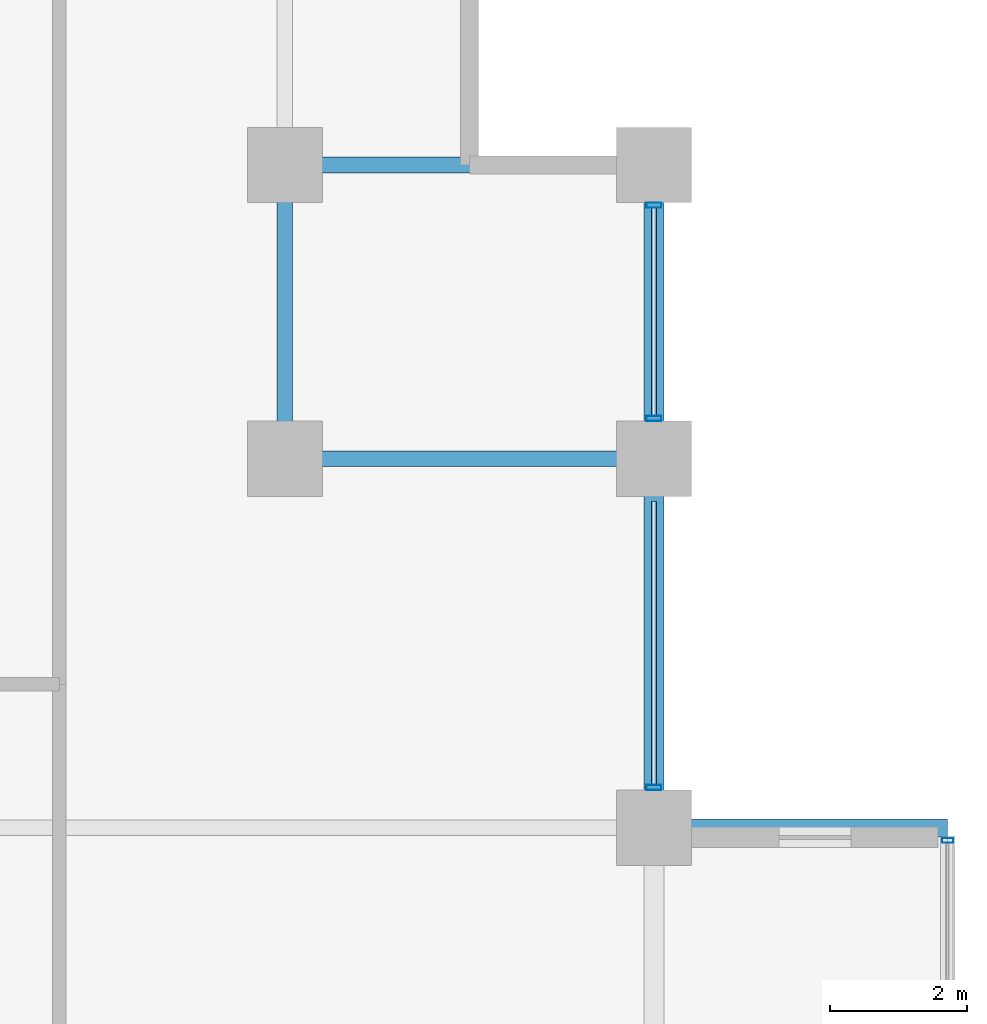
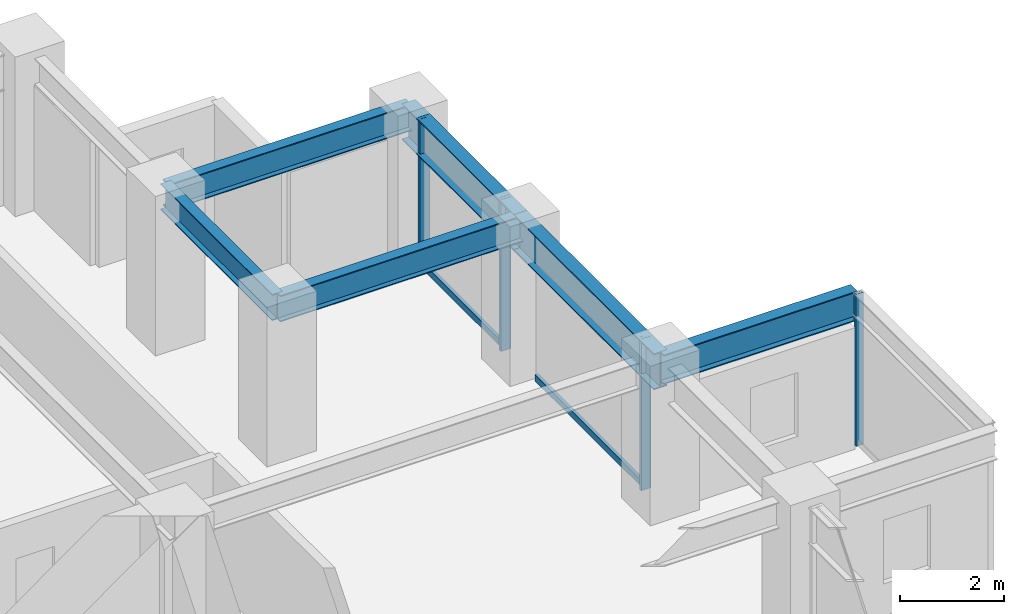
# One storey, part 17 of 29: 6 beams, 6 members, 2 elements without a shape of their own.
"""IFC4 building model written with IfcOpenShell, lengths in metres."""

import ifcopenshell
import ifcopenshell.guid

model = None  # the IFC model being written
_history = None  # IfcOwnerHistory: only IFC2X3 demands one
_inside = {}  # id of a spatial element -> (the spatial element, [elements in it])
_under = {}  # id of a project, library or spatial element -> (it, [spatial elements below it])
_declared = {}  # id of a project -> (the project, [libraries it declares])
_typed = {}  # id of a type object -> (the type object, [elements of that type])
_made_of = {}  # id of a material, layer set ... -> (it, [elements and type objects made of it])


def new_model(schema):
    """Start an empty IFC model of exactly this schema.

    Asked for "IFC4X3", IfcOpenShell would pick the latest addendum, in which some entities
    have other attributes; the version numbers below select the first issue.
    IFC2X3 requires an IfcOwnerHistory on every rooted entity: one is made here for all.
    """
    global model, _history
    if schema == "IFC4X3":
        model = ifcopenshell.file(schema_version=(4, 3, 0, 0))
    else:
        model = ifcopenshell.file(schema=schema)
    _inside.clear()
    _under.clear()
    _declared.clear()
    _typed.clear()
    _made_of.clear()
    _history = None
    if model.schema == "IFC2X3":
        org = make("IfcOrganization", Name="unknown")
        user = make(
            "IfcPersonAndOrganization",
            ThePerson=make("IfcPerson", FamilyName="unknown"),
            TheOrganization=org,
        )
        app = make(
            "IfcApplication",
            ApplicationDeveloper=org,
            Version="unknown",
            ApplicationFullName="unknown",
            ApplicationIdentifier="unknown",
        )
        _history = make(
            "IfcOwnerHistory",
            OwningUser=user,
            OwningApplication=app,
            ChangeAction="ADDED",
            CreationDate=0,
        )
    return model


def make(cls, **values):
    """One entity of the class cls with the attributes given. An attribute that is None is left unset."""
    return model.create_entity(
        cls, **{name: value for name, value in values.items() if value is not None}
    )


def rooted(cls, **values):
    """An entity with a GlobalId (a new one), such as an element, a storey or a relation."""
    return make(cls, GlobalId=ifcopenshell.guid.new(), OwnerHistory=_history, **values)


def si_unit(unit_type, name, prefix=None):
    """IfcSIUnit, for example si_unit("LENGTHUNIT", "METRE", prefix="MILLI")."""
    return make("IfcSIUnit", UnitType=unit_type, Prefix=prefix, Name=name)


def assignment(units):
    """IfcUnitAssignment: the units of a project."""
    return None if units is None else make("IfcUnitAssignment", Units=units)


def point(xyz):
    """IfcCartesianPoint."""
    return None if xyz is None else make("IfcCartesianPoint", Coordinates=xyz)


def direction(xyz):
    """IfcDirection."""
    return None if xyz is None else make("IfcDirection", DirectionRatios=xyz)


def frame(location, z_axis=None, x_axis=None):
    """IfcAxis2Placement3D, a coordinate frame: its origin and axes. An axis left out is left unset."""
    return make(
        "IfcAxis2Placement3D",
        Location=point(location),
        Axis=direction(z_axis),
        RefDirection=direction(x_axis),
    )


def frame_2d(location, x_axis=None):
    """IfcAxis2Placement2D, a coordinate frame in the plane: its origin and x axis."""
    return make(
        "IfcAxis2Placement2D", Location=point(location), RefDirection=direction(x_axis)
    )


def origin():
    """The frame at (0, 0, 0) with its axes left unset."""
    return frame((0.0, 0.0, 0.0))


def origin_2d():
    """The frame at (0, 0) in the plane with its x axis left unset."""
    return frame_2d((0.0, 0.0))


def place(relative_to, where):
    """IfcLocalPlacement: puts the frame where relative to a parent placement (None: the world)."""
    return make(
        "IfcLocalPlacement", PlacementRelTo=relative_to, RelativePlacement=where
    )


def context(
    kind, dimensions, precision=None, world=None, true_north=None, identifier=None
):
    """IfcGeometricRepresentationContext, for example the 3D "Model" context."""
    return make(
        "IfcGeometricRepresentationContext",
        ContextIdentifier=identifier,
        ContextType=kind,
        CoordinateSpaceDimension=dimensions,
        Precision=precision,
        WorldCoordinateSystem=world,
        TrueNorth=true_north,
    )


def subcontext(parent, identifier, kind, view, scale=None):
    """IfcGeometricRepresentationSubContext, for example "Body" below "Model"."""
    return make(
        "IfcGeometricRepresentationSubContext",
        ContextIdentifier=identifier,
        ContextType=kind,
        ParentContext=parent,
        TargetScale=scale,
        TargetView=view,
    )


def project(units=None, contexts=None):
    """IfcProject with its units and contexts."""
    return rooted(
        "IfcProject",
        Name="project",
        RepresentationContexts=contexts,
        UnitsInContext=assignment(units),
    )


def spatial(cls, under=None, at=None, **own):
    """A site, building, storey or space (cls), placed at a placement, below another one or the project."""
    s = rooted(cls, ObjectPlacement=at, **own)
    if under is not None:
        _under.setdefault(under.id(), (under, []))[1].append(s)
    return s


def profile(cls, at=None, kind="AREA", **sizes):
    """A parametric profile (cls). Its sizes go by their IFC names, for example OverallWidth=200.0."""
    return make(cls, ProfileType=kind, Position=at, **sizes)


def hollow_rectangle(**sizes):
    """IfcRectangleHollowProfileDef."""
    return profile("IfcRectangleHollowProfileDef", **sizes)


def i_section(**sizes):
    """IfcIShapeProfileDef."""
    return profile("IfcIShapeProfileDef", **sizes)


def extrude(swept, where, along, depth):
    """IfcExtrudedAreaSolid: the profile swept, set in the frame where, extruded along a direction by depth."""
    return make(
        "IfcExtrudedAreaSolid",
        SweptArea=swept,
        Position=where,
        ExtrudedDirection=direction(along),
        Depth=depth,
    )


def shape(context_of_items, identifier, shape_type, items):
    """IfcShapeRepresentation: the items that make up one representation, for example the "Body"."""
    return make(
        "IfcShapeRepresentation",
        ContextOfItems=context_of_items,
        RepresentationIdentifier=identifier,
        RepresentationType=shape_type,
        Items=items,
    )


def material(Name=None, Category=None):
    """IfcMaterial."""
    return make("IfcMaterial", Name=Name, Category=Category)


def layer(
    of_material, thickness, ventilated=None, Name=None, Category=None, Priority=None
):
    """IfcMaterialLayer: one layer of a wall or slab, of a material (None: an air gap)."""
    return make(
        "IfcMaterialLayer",
        Material=of_material,
        LayerThickness=thickness,
        IsVentilated=ventilated,
        Name=Name,
        Category=Category,
        Priority=Priority,
    )


def layer_set(layers, Name=None):
    """IfcMaterialLayerSet."""
    return make("IfcMaterialLayerSet", MaterialLayers=layers, LayerSetName=Name)


def material_profile(
    of_material, cross_section, Name=None, Category=None, Priority=None
):
    """IfcMaterialProfile: a cross section and its material."""
    return make(
        "IfcMaterialProfile",
        Name=Name,
        Material=of_material,
        Profile=cross_section,
        Priority=Priority,
        Category=Category,
    )


def profile_set(profiles, Name=None, composite=None):
    """IfcMaterialProfileSet."""
    return make(
        "IfcMaterialProfileSet",
        Name=Name,
        MaterialProfiles=profiles,
        CompositeProfile=composite,
    )


def made_of(thing, what):
    """Note that an element or type object is made of a material, layer set ...; save() writes the relation."""
    if what is not None:
        _made_of.setdefault(what.id(), (what, []))[1].append(thing)
    return thing


def type_object(cls, material=None, **own):
    """A type object (cls), such as IfcWallType, which elements share."""
    return made_of(rooted(cls, **own), material)


def element(
    cls,
    number,
    at=None,
    inside=None,
    cuts=None,
    type_object=None,
    material=None,
    context=None,
    identifier="Body",
    shape_type=None,
    held_by="IfcProductDefinitionShape",
    body=None,
    shapes=None,
    **own,
):
    """One element of the class cls, such as IfcWall. Its Tag is "e" and its number.

    at: its placement. inside: the storey or other place that contains it. cuts: it is an
    opening in that element (IfcRelVoidsElement). A single representation is given by context,
    identifier, shape_type and body (its items); several are given by shapes. held_by: the class
    of the entity that holds the representations. save() writes the other relations.
    """
    e = rooted(cls, Tag="e%d" % number, ObjectPlacement=at, **own)
    if body is not None:
        shapes = [shape(context, identifier, shape_type, body)]
    if shapes is not None:
        e.Representation = make(held_by, Representations=shapes)
    if inside is not None:
        _inside.setdefault(inside.id(), (inside, []))[1].append(e)
    if cuts is not None:
        rooted(
            "IfcRelVoidsElement", RelatingBuildingElement=cuts, RelatedOpeningElement=e
        )
    if type_object is not None:
        _typed.setdefault(type_object.id(), (type_object, []))[1].append(e)
    return made_of(e, material)


def aggregate(whole, parts):
    """IfcRelAggregates: a whole, such as a stair, and the parts it consists of."""
    return rooted("IfcRelAggregates", RelatingObject=whole, RelatedObjects=parts)


def save(model, path):
    """Write the relations noted so far, then the file.

    IfcRelAggregates (storeys below a building ...), IfcRelContainedInSpatialStructure (elements
    in a storey), IfcRelDefinesByType, IfcRelAssociatesMaterial and IfcRelDeclares: one each for
    every whole, place, type object, material and project.
    """
    for whole, parts in _under.values():
        aggregate(whole, parts)
    for where, things in _inside.values():
        rooted(
            "IfcRelContainedInSpatialStructure",
            RelatedElements=things,
            RelatingStructure=where,
        )
    for kind, things in _typed.values():
        rooted("IfcRelDefinesByType", RelatedObjects=things, RelatingType=kind)
    for what, things in _made_of.values():
        rooted("IfcRelAssociatesMaterial", RelatedObjects=things, RelatingMaterial=what)
    for by, libraries in _declared.values():
        rooted("IfcRelDeclares", RelatingContext=by, RelatedDefinitions=libraries)
    model.write(path)


model = new_model("IFC4")

# Units and contexts
model_context = context("Model", 3, precision=1e-05, world=origin(), true_north=direction((0.0, 1.0)))
body_context = subcontext(model_context, "Body", "Model", "MODEL_VIEW")
ifc_project = project(units=[si_unit("LENGTHUNIT", "METRE"), si_unit("AREAUNIT", "SQUARE_METRE"), si_unit("VOLUMEUNIT", "CUBIC_METRE"), si_unit("PLANEANGLEUNIT", "RADIAN"), si_unit("MASSUNIT", "GRAM", prefix="KILO")], contexts=[model_context])

# Site, building, storey
site_placement = place(None, origin())
site = spatial("IfcSite", under=ifc_project, at=site_placement, CompositionType="ELEMENT")
building_placement = place(site_placement, origin())
building = spatial("IfcBuilding", under=site, at=building_placement, Name="Surkhivell Harbour Commons", CompositionType="ELEMENT")
storey_placement = place(building_placement, frame((0.0, 0.0, 87.0)))
storey = spatial("IfcBuildingStorey", under=building, at=storey_placement, Name="L22", CompositionType="ELEMENT", Elevation=87.0)

# Beams
ifc_material_1 = material(Name="Steel S460", Category="steel")
ifc_material_profile_1 = material_profile(ifc_material_1, i_section(OverallWidth=0.256103515625, OverallDepth=0.693115234375, WebThickness=0.014404296875, FlangeThickness=0.023681640625, at=origin_2d()), Name="UB686x254x170")
ifc_profile_set_1 = profile_set([ifc_material_profile_1], Name="Steel S460")
beam_type_1 = type_object("IfcBeamType", Name="BM-CNT-686", PredefinedType="BEAM", material=ifc_profile_set_1)
beam_1_placement = place(storey_placement, frame((21.60009765625, 10.800048828125, 3.223388671875), z_axis=(1.0, 0.0, 0.0), x_axis=(0.0, 1.0, 0.0)))
element("IfcBeam", 1, at=beam_1_placement, inside=storey, type_object=beam_type_1, Name="L22 Box Cantilever Outrigger (21.6,10.8)", PredefinedType="BEAM", context=body_context, shape_type="SweptSolid", body=[
    extrude(i_section(OverallWidth=0.256103515625, OverallDepth=0.693115234375, WebThickness=0.014404296875, FlangeThickness=0.023681640625, at=origin_2d()), origin(), (0.0, 0.0, 1.0), 4.2998046875),
])
ifc_material_2 = material(Name="Steel S355", Category="steel")
ifc_material_profile_2 = material_profile(ifc_material_2, i_section(OverallWidth=0.22998046875, OverallDepth=0.616943359375, WebThickness=0.01318359375, FlangeThickness=0.022216796875, at=origin_2d()), Name="UB610x229x140")
ifc_profile_set_2 = profile_set([ifc_material_profile_2], Name="Steel S355")
beam_type_2 = type_object("IfcBeamType", Name="BM-GRD-610B", PredefinedType="BEAM", material=ifc_profile_set_2)
beam_2_placement = place(storey_placement, frame((16.199951171875, 16.199951171875, 3.261474609375), z_axis=(0.0, 1.0, 0.0), x_axis=(-1.0, 0.0, 0.0)))
element("IfcBeam", 2, at=beam_2_placement, inside=storey, type_object=beam_type_2, Name="L22 Floor Girder (16.2,16.2)", PredefinedType="BEAM", context=body_context, shape_type="SweptSolid", body=[
    extrude(i_section(OverallWidth=0.22998046875, OverallDepth=0.616943359375, WebThickness=0.01318359375, FlangeThickness=0.022216796875, at=origin_2d()), origin(), (0.0, 0.0, 1.0), 4.300048828125),
])
for number, where, z_axis, x_axis, name in (
    (3, (16.199951171875, 16.199951171875, 3.261474609375), (1.0, 0.0, 0.0), (0.0, 1.0, 0.0), "L22 Floor Girder (16.2,16.2)"),
    (4, (16.199951171875, 20.5, 3.261474609375), (1.0, 0.0, 0.0), (0.0, 1.0, 0.0), "L22 Floor Girder (16.2,20.5)"),
):
    element("IfcBeam", number, at=place(storey_placement, frame(where, z_axis=z_axis, x_axis=x_axis)), inside=storey, type_object=beam_type_2, Name=name, PredefinedType="BEAM", context=body_context, shape_type="SweptSolid", body=[
        extrude(i_section(OverallWidth=0.22998046875, OverallDepth=0.616943359375, WebThickness=0.01318359375, FlangeThickness=0.022216796875, at=origin_2d()), origin(), (0.0, 0.0, 1.0), 5.400146484375),
    ])
ifc_material_profile_3 = material_profile(ifc_material_1, i_section(OverallWidth=0.2939453125, OverallDepth=0.85107421875, WebThickness=0.01611328125, FlangeThickness=0.02685546875, at=origin_2d()), Name="UB838x292x226")
ifc_profile_set_3 = profile_set([ifc_material_profile_3], Name="Steel S460")
beam_type_3 = type_object("IfcBeamType", Name="BM-SPN-838", PredefinedType="SPANDREL", material=ifc_profile_set_3)
beam_3_placement = place(storey_placement, frame((21.60009765625, 10.800048828125, 3.14453125), z_axis=(0.0, 1.0, 0.0), x_axis=(-1.0, 0.0, 0.0)))
element("IfcBeam", 5, at=beam_3_placement, inside=storey, type_object=beam_type_3, Name="L22 Tube Spandrel (21.6,10.8)", PredefinedType="SPANDREL", context=body_context, shape_type="SweptSolid", body=[
    extrude(i_section(OverallWidth=0.2939453125, OverallDepth=0.85107421875, WebThickness=0.01611328125, FlangeThickness=0.02685546875, at=origin_2d()), origin(), (0.0, 0.0, 1.0), 5.39990234375),
])
beam_4_placement = place(storey_placement, frame((21.60009765625, 16.199951171875, 3.14453125), z_axis=(0.0, 1.0, 0.0), x_axis=(-1.0, 0.0, 0.0)))
element("IfcBeam", 6, at=beam_4_placement, inside=storey, type_object=beam_type_3, Name="L22 Tube Spandrel (21.6,16.2)", PredefinedType="SPANDREL", context=body_context, shape_type="SweptSolid", body=[
    extrude(i_section(OverallWidth=0.2939453125, OverallDepth=0.85107421875, WebThickness=0.01611328125, FlangeThickness=0.02685546875, at=origin_2d()), origin(), (0.0, 0.0, 1.0), 4.300048828125),
])

# Curtain wall, member
ifc_material_3 = material(Name="Anodised pale-metal aluminium and insulated glazing", Category="aluminium")
ifc_layer_1 = layer(ifc_material_3, 0.1650390625)
ifc_layer_set_1 = layer_set([ifc_layer_1], Name="Anodised pale-metal aluminium and insulated glazing")
curtain_wall_type_1 = type_object("IfcCurtainWallType", Name="CW-SYS-BOX", PredefinedType="NOTDEFINED", material=ifc_layer_set_1)
curtain_wall_1_placement = place(storey_placement, origin())
curtain_wall_1 = element("IfcCurtainWall", 7, at=curtain_wall_1_placement, inside=storey, type_object=curtain_wall_type_1, Name="L22 Curtain Wall CW-L22-BOX01", PredefinedType="NOTDEFINED")
ifc_material_4 = material(Name="Champagne anodised aluminium alloy 6063-T6", Category="aluminium")
ifc_material_profile_4 = material_profile(ifc_material_4, hollow_rectangle(XDim=0.070068359375, YDim=0.1650390625, WallThickness=0.00341796875, at=origin_2d()), Name="ALU-MULL-70x165")
ifc_profile_set_4 = profile_set([ifc_material_profile_4], Name="Champagne anodised aluminium alloy 6063-T6")
member_type_1 = type_object("IfcMemberType", Name="CWM-165", PredefinedType="MULLION", material=ifc_profile_set_4)
member_1_placement = place(storey_placement, frame((25.89990234375, 10.614990234375, 0.0), z_axis=(0.0, 0.0, 1.0), x_axis=(0.0, 1.0, 0.0)))
member_1 = element("IfcMember", 8, at=member_1_placement, type_object=member_type_1, Name="CW-BOX mullion 2", PredefinedType="MULLION", context=body_context, shape_type="SweptSolid", body=[
    extrude(hollow_rectangle(XDim=0.070068359375, YDim=0.1650390625, WallThickness=0.00341796875, at=origin_2d()), origin(), (0.0, 0.0, 1.0), 3.570068359375),
])
aggregate(curtain_wall_1, [member_1])

# Curtain wall, members
ifc_layer_2 = layer(ifc_material_3, 0.205078125)
ifc_layer_set_2 = layer_set([ifc_layer_2], Name="Anodised pale-metal aluminium and insulated glazing")
curtain_wall_type_2 = type_object("IfcCurtainWallType", Name="CW-SYS-Z2", PredefinedType="NOTDEFINED", material=ifc_layer_set_2)
curtain_wall_2_placement = place(storey_placement, origin())
curtain_wall_2 = element("IfcCurtainWall", 9, at=curtain_wall_2_placement, inside=storey, type_object=curtain_wall_type_2, Name="L22 Curtain Wall CW-L22-E02R2", PredefinedType="NOTDEFINED")
ifc_material_5 = material(Name="Anodised pale-metal aluminium alloy 6063-T6", Category="aluminium")
ifc_material_profile_5 = material_profile(ifc_material_5, hollow_rectangle(XDim=0.074951171875, YDim=0.219970703125, WallThickness=0.00390625, at=origin_2d()), Name="ALU-MULL-75x220")
ifc_profile_set_5 = profile_set([ifc_material_profile_5], Name="Anodised pale-metal aluminium alloy 6063-T6")
member_type_2 = type_object("IfcMemberType", Name="CWM-220", PredefinedType="MULLION", material=ifc_profile_set_5)
member_2_placement = place(storey_placement, frame((21.60009765625, 11.389404296875, 0.0), z_axis=(0.0, 0.0, 1.0), x_axis=(0.0, 1.0, 0.0)))
member_2 = element("IfcMember", 10, at=member_2_placement, type_object=member_type_2, Name="CW-Z2 mullion 1", PredefinedType="MULLION", context=body_context, shape_type="SweptSolid", body=[
    extrude(hollow_rectangle(XDim=0.074951171875, YDim=0.219970703125, WallThickness=0.00390625, at=origin_2d()), origin(), (0.0, 0.0, 1.0), 3.570068359375),
])
member_3_placement = place(storey_placement, frame((21.60009765625, 16.78955078125, 0.0), z_axis=(0.0, 0.0, 1.0), x_axis=(0.0, 1.0, 0.0)))
member_3 = element("IfcMember", 11, at=member_3_placement, type_object=member_type_2, Name="CW-Z2 mullion 2", PredefinedType="MULLION", context=body_context, shape_type="SweptSolid", body=[
    extrude(hollow_rectangle(XDim=0.074951171875, YDim=0.219970703125, WallThickness=0.00390625, at=origin_2d()), origin(), (0.0, 0.0, 1.0), 3.570068359375),
])
member_4_placement = place(storey_placement, frame((21.60009765625, 19.910400390625, 0.0), z_axis=(0.0, 0.0, 1.0), x_axis=(0.0, 1.0, 0.0)))
member_4 = element("IfcMember", 12, at=member_4_placement, type_object=member_type_2, Name="CW-Z2 mullion 3", PredefinedType="MULLION", context=body_context, shape_type="SweptSolid", body=[
    extrude(hollow_rectangle(XDim=0.074951171875, YDim=0.219970703125, WallThickness=0.00390625, at=origin_2d()), origin(), (0.0, 0.0, 1.0), 3.570068359375),
])
ifc_material_profile_6 = material_profile(ifc_material_5, hollow_rectangle(XDim=0.074951171875, YDim=0.14990234375, WallThickness=0.00341796875, at=origin_2d()), Name="ALU-TRAN-75x150")
ifc_profile_set_6 = profile_set([ifc_material_profile_6], Name="Anodised pale-metal aluminium alloy 6063-T6")
member_type_3 = type_object("IfcMemberType", Name="CWT-150", PredefinedType="USERDEFINED", material=ifc_profile_set_6)
member_5_placement = place(storey_placement, frame((21.60009765625, 11.427001953125, 0.074951171875), z_axis=(0.0, 1.0, 0.0), x_axis=(-1.0, 0.0, 0.0)))
member_5 = element("IfcMember", 13, at=member_5_placement, type_object=member_type_3, Name="CW-Z2 transom 1.1", ObjectType="TRANSOM", PredefinedType="USERDEFINED", context=body_context, shape_type="SweptSolid", body=[
    extrude(hollow_rectangle(XDim=0.074951171875, YDim=0.14990234375, WallThickness=0.00341796875, at=origin_2d()), origin(), (0.0, 0.0, 1.0), 4.14599609375),
])
member_6_placement = place(storey_placement, frame((21.60009765625, 16.826904296875, 0.074951171875), z_axis=(0.0, 1.0, 0.0), x_axis=(-1.0, 0.0, 0.0)))
member_6 = element("IfcMember", 14, at=member_6_placement, type_object=member_type_3, Name="CW-Z2 transom 2.1", ObjectType="TRANSOM", PredefinedType="USERDEFINED", context=body_context, shape_type="SweptSolid", body=[
    extrude(hollow_rectangle(XDim=0.074951171875, YDim=0.14990234375, WallThickness=0.00341796875, at=origin_2d()), origin(), (0.0, 0.0, 1.0), 3.046142578125),
])
aggregate(curtain_wall_2, [member_2, member_5, member_3, member_4, member_6])

save(model, "model.ifc")
